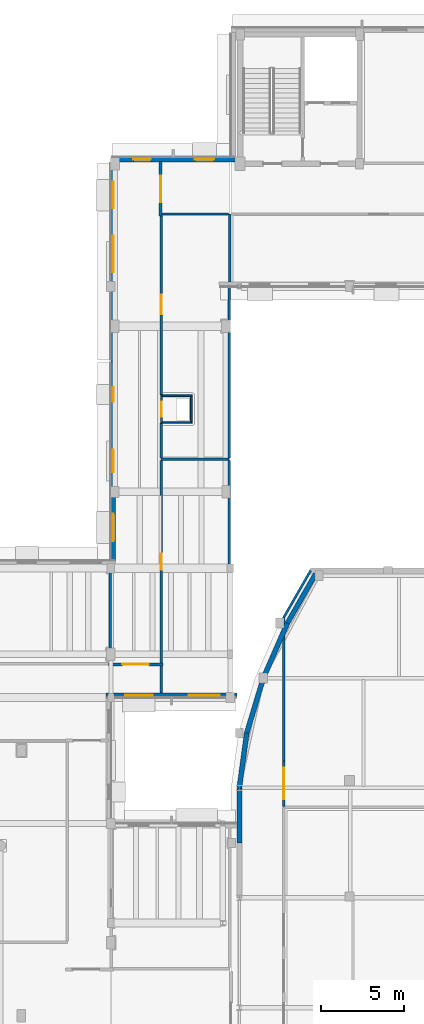
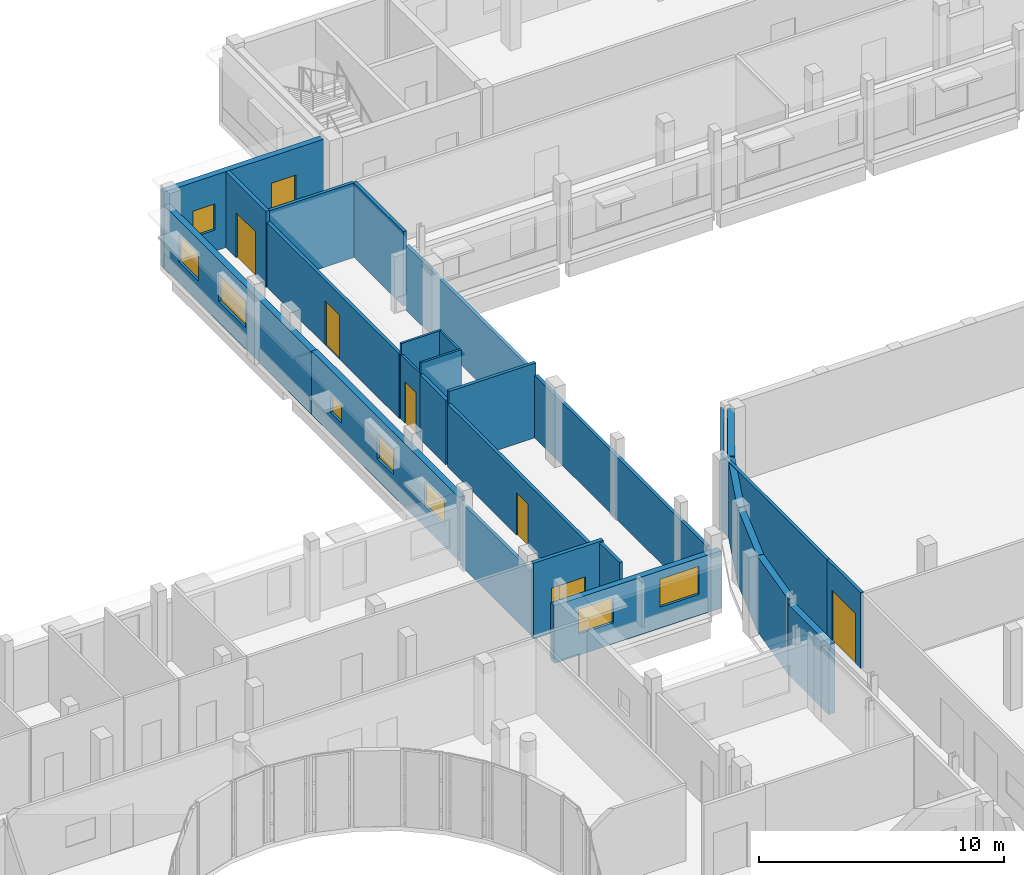
# One storey, part 85 of 105: 28 walls, 9 windows, 6 doors, 15 openings.
"""IFC4 building model written with IfcOpenShell, lengths in metres."""

import ifcopenshell
import ifcopenshell.guid

model = None  # the IFC model being written
_history = None  # IfcOwnerHistory: only IFC2X3 demands one
_inside = {}  # id of a spatial element -> (the spatial element, [elements in it])
_under = {}  # id of a project, library or spatial element -> (it, [spatial elements below it])
_declared = {}  # id of a project -> (the project, [libraries it declares])
_typed = {}  # id of a type object -> (the type object, [elements of that type])
_made_of = {}  # id of a material, layer set ... -> (it, [elements and type objects made of it])


def new_model(schema):
    """Start an empty IFC model of exactly this schema.

    Asked for "IFC4X3", IfcOpenShell would pick the latest addendum, in which some entities
    have other attributes; the version numbers below select the first issue.
    IFC2X3 requires an IfcOwnerHistory on every rooted entity: one is made here for all.
    """
    global model, _history
    if schema == "IFC4X3":
        model = ifcopenshell.file(schema_version=(4, 3, 0, 0))
    else:
        model = ifcopenshell.file(schema=schema)
    _inside.clear()
    _under.clear()
    _declared.clear()
    _typed.clear()
    _made_of.clear()
    _history = None
    if model.schema == "IFC2X3":
        org = make("IfcOrganization", Name="unknown")
        user = make(
            "IfcPersonAndOrganization",
            ThePerson=make("IfcPerson", FamilyName="unknown"),
            TheOrganization=org,
        )
        app = make(
            "IfcApplication",
            ApplicationDeveloper=org,
            Version="unknown",
            ApplicationFullName="unknown",
            ApplicationIdentifier="unknown",
        )
        _history = make(
            "IfcOwnerHistory",
            OwningUser=user,
            OwningApplication=app,
            ChangeAction="ADDED",
            CreationDate=0,
        )
    return model


def make(cls, **values):
    """One entity of the class cls with the attributes given. An attribute that is None is left unset."""
    return model.create_entity(
        cls, **{name: value for name, value in values.items() if value is not None}
    )


def rooted(cls, **values):
    """An entity with a GlobalId (a new one), such as an element, a storey or a relation."""
    return make(cls, GlobalId=ifcopenshell.guid.new(), OwnerHistory=_history, **values)


def si_unit(unit_type, name, prefix=None):
    """IfcSIUnit, for example si_unit("LENGTHUNIT", "METRE", prefix="MILLI")."""
    return make("IfcSIUnit", UnitType=unit_type, Prefix=prefix, Name=name)


def assignment(units):
    """IfcUnitAssignment: the units of a project."""
    return None if units is None else make("IfcUnitAssignment", Units=units)


def point(xyz):
    """IfcCartesianPoint."""
    return None if xyz is None else make("IfcCartesianPoint", Coordinates=xyz)


def direction(xyz):
    """IfcDirection."""
    return None if xyz is None else make("IfcDirection", DirectionRatios=xyz)


def frame(location, z_axis=None, x_axis=None):
    """IfcAxis2Placement3D, a coordinate frame: its origin and axes. An axis left out is left unset."""
    return make(
        "IfcAxis2Placement3D",
        Location=point(location),
        Axis=direction(z_axis),
        RefDirection=direction(x_axis),
    )


def frame_2d(location, x_axis=None):
    """IfcAxis2Placement2D, a coordinate frame in the plane: its origin and x axis."""
    return make(
        "IfcAxis2Placement2D", Location=point(location), RefDirection=direction(x_axis)
    )


def origin():
    """The frame at (0, 0, 0) with its axes left unset."""
    return frame((0.0, 0.0, 0.0))


def place(relative_to, where):
    """IfcLocalPlacement: puts the frame where relative to a parent placement (None: the world)."""
    return make(
        "IfcLocalPlacement", PlacementRelTo=relative_to, RelativePlacement=where
    )


def context(
    kind, dimensions, precision=None, world=None, true_north=None, identifier=None
):
    """IfcGeometricRepresentationContext, for example the 3D "Model" context."""
    return make(
        "IfcGeometricRepresentationContext",
        ContextIdentifier=identifier,
        ContextType=kind,
        CoordinateSpaceDimension=dimensions,
        Precision=precision,
        WorldCoordinateSystem=world,
        TrueNorth=true_north,
    )


def subcontext(parent, identifier, kind, view, scale=None):
    """IfcGeometricRepresentationSubContext, for example "Body" below "Model"."""
    return make(
        "IfcGeometricRepresentationSubContext",
        ContextIdentifier=identifier,
        ContextType=kind,
        ParentContext=parent,
        TargetScale=scale,
        TargetView=view,
    )


def project(units=None, contexts=None):
    """IfcProject with its units and contexts."""
    return rooted(
        "IfcProject",
        Name="project",
        RepresentationContexts=contexts,
        UnitsInContext=assignment(units),
    )


def spatial(cls, under=None, at=None, **own):
    """A site, building, storey or space (cls), placed at a placement, below another one or the project."""
    s = rooted(cls, ObjectPlacement=at, **own)
    if under is not None:
        _under.setdefault(under.id(), (under, []))[1].append(s)
    return s


def profile(cls, at=None, kind="AREA", **sizes):
    """A parametric profile (cls). Its sizes go by their IFC names, for example OverallWidth=200.0."""
    return make(cls, ProfileType=kind, Position=at, **sizes)


def rectangle(**sizes):
    """IfcRectangleProfileDef."""
    return profile("IfcRectangleProfileDef", **sizes)


def extrude(swept, where, along, depth):
    """IfcExtrudedAreaSolid: the profile swept, set in the frame where, extruded along a direction by depth."""
    return make(
        "IfcExtrudedAreaSolid",
        SweptArea=swept,
        Position=where,
        ExtrudedDirection=direction(along),
        Depth=depth,
    )


def shape(context_of_items, identifier, shape_type, items):
    """IfcShapeRepresentation: the items that make up one representation, for example the "Body"."""
    return make(
        "IfcShapeRepresentation",
        ContextOfItems=context_of_items,
        RepresentationIdentifier=identifier,
        RepresentationType=shape_type,
        Items=items,
    )


def material(Name=None, Category=None):
    """IfcMaterial."""
    return make("IfcMaterial", Name=Name, Category=Category)


def layer(
    of_material, thickness, ventilated=None, Name=None, Category=None, Priority=None
):
    """IfcMaterialLayer: one layer of a wall or slab, of a material (None: an air gap)."""
    return make(
        "IfcMaterialLayer",
        Material=of_material,
        LayerThickness=thickness,
        IsVentilated=ventilated,
        Name=Name,
        Category=Category,
        Priority=Priority,
    )


def layer_set(layers, Name=None):
    """IfcMaterialLayerSet."""
    return make("IfcMaterialLayerSet", MaterialLayers=layers, LayerSetName=Name)


def made_of(thing, what):
    """Note that an element or type object is made of a material, layer set ...; save() writes the relation."""
    if what is not None:
        _made_of.setdefault(what.id(), (what, []))[1].append(thing)
    return thing


def type_object(cls, material=None, **own):
    """A type object (cls), such as IfcWallType, which elements share."""
    return made_of(rooted(cls, **own), material)


def element(
    cls,
    number,
    at=None,
    inside=None,
    cuts=None,
    type_object=None,
    material=None,
    context=None,
    identifier="Body",
    shape_type=None,
    held_by="IfcProductDefinitionShape",
    body=None,
    shapes=None,
    **own,
):
    """One element of the class cls, such as IfcWall. Its Tag is "e" and its number.

    at: its placement. inside: the storey or other place that contains it. cuts: it is an
    opening in that element (IfcRelVoidsElement). A single representation is given by context,
    identifier, shape_type and body (its items); several are given by shapes. held_by: the class
    of the entity that holds the representations. save() writes the other relations.
    """
    e = rooted(cls, Tag="e%d" % number, ObjectPlacement=at, **own)
    if body is not None:
        shapes = [shape(context, identifier, shape_type, body)]
    if shapes is not None:
        e.Representation = make(held_by, Representations=shapes)
    if inside is not None:
        _inside.setdefault(inside.id(), (inside, []))[1].append(e)
    if cuts is not None:
        rooted(
            "IfcRelVoidsElement", RelatingBuildingElement=cuts, RelatedOpeningElement=e
        )
    if type_object is not None:
        _typed.setdefault(type_object.id(), (type_object, []))[1].append(e)
    return made_of(e, material)


def fill(opening, filler):
    """IfcRelFillsElement: the door or window that sits in an opening."""
    return rooted(
        "IfcRelFillsElement",
        RelatingOpeningElement=opening,
        RelatedBuildingElement=filler,
    )


def aggregate(whole, parts):
    """IfcRelAggregates: a whole, such as a stair, and the parts it consists of."""
    return rooted("IfcRelAggregates", RelatingObject=whole, RelatedObjects=parts)


def save(model, path):
    """Write the relations noted so far, then the file.

    IfcRelAggregates (storeys below a building ...), IfcRelContainedInSpatialStructure (elements
    in a storey), IfcRelDefinesByType, IfcRelAssociatesMaterial and IfcRelDeclares: one each for
    every whole, place, type object, material and project.
    """
    for whole, parts in _under.values():
        aggregate(whole, parts)
    for where, things in _inside.values():
        rooted(
            "IfcRelContainedInSpatialStructure",
            RelatedElements=things,
            RelatingStructure=where,
        )
    for kind, things in _typed.values():
        rooted("IfcRelDefinesByType", RelatedObjects=things, RelatingType=kind)
    for what, things in _made_of.values():
        rooted("IfcRelAssociatesMaterial", RelatedObjects=things, RelatingMaterial=what)
    for by, libraries in _declared.values():
        rooted("IfcRelDeclares", RelatingContext=by, RelatedDefinitions=libraries)
    model.write(path)


model = new_model("IFC4")

# Units and contexts
model_context = context("Model", 3, precision=1e-05, world=origin(), true_north=direction((0.0, 1.0)))
body_context = subcontext(model_context, "Body", "Model", "MODEL_VIEW")
ifc_project = project(units=[si_unit("LENGTHUNIT", "METRE"), si_unit("AREAUNIT", "SQUARE_METRE"), si_unit("VOLUMEUNIT", "CUBIC_METRE"), si_unit("PLANEANGLEUNIT", "RADIAN"), si_unit("MASSUNIT", "GRAM", prefix="KILO")], contexts=[model_context])

# Site, building, storey
site_placement = place(None, origin())
site = spatial("IfcSite", under=ifc_project, at=site_placement, CompositionType="ELEMENT")
building_placement = place(site_placement, origin())
building = spatial("IfcBuilding", under=site, at=building_placement, Name="Kelanivale Promenade Academy", CompositionType="ELEMENT")
storey_placement = place(building_placement, frame((0.0, 0.0, 4.199951171875)))
storey = spatial("IfcBuildingStorey", under=building, at=storey_placement, Name="L01", CompositionType="ELEMENT", Elevation=4.199951171875)

# Walls
ifc_material_1 = material(Name="Insulated terracotta-clad masonry wall 300 mm", Category="masonry")
ifc_layer_1 = layer(ifc_material_1, 0.300048828125)
ifc_layer_set_1 = layer_set([ifc_layer_1], Name="Insulated terracotta-clad masonry wall 300 mm")
wall_type_1 = type_object("IfcWallType", Name="EW-01 Wall 300mm", PredefinedType="SOLIDWALL", material=ifc_layer_set_1)
wall_1_placement = place(storey_placement, frame((123.35009765625, 66.14306640625, 0.0), z_axis=(0.0, 0.0, 1.0), x_axis=(0.0, -1.0, 0.0)))
element("IfcWall", 1, at=wall_1_placement, inside=storey, type_object=wall_type_1, Name="Assembly Hall Arc Pavilion inner crescent wall L01", PredefinedType="SOLIDWALL", context=body_context, shape_type="SweptSolid", body=[
    extrude(rectangle(XDim=3.31396484375, YDim=0.300048828125, at=frame_2d((1.656982421875, 0.0))), origin(), (0.0, 0.0, 1.0), 3.47998046875),
])
wall_2_placement = place(storey_placement, frame((123.800048828125, 69.45703125, 0.0), z_axis=(0.0, 0.0, 1.0), x_axis=(-0.134539839792, -0.990908185206, 0.0)))
element("IfcWall", 2, at=wall_2_placement, inside=storey, type_object=wall_type_1, Name="Assembly Hall Arc Pavilion inner crescent wall L01", PredefinedType="SOLIDWALL", context=body_context, shape_type="SweptSolid", body=[
    extrude(rectangle(XDim=3.344482421875, YDim=0.300048828125, at=frame_2d((1.67236328125, 0.0))), origin(), (0.0, 0.0, 1.0), 3.735107421875),
])
wall_3_placement = place(storey_placement, frame((124.800048828125, 72.77099609375, 0.0), z_axis=(0.0, 0.0, 1.0), x_axis=(-0.288887509039, -0.957363048755, 0.0)))
element("IfcWall", 3, at=wall_3_placement, inside=storey, type_object=wall_type_1, Name="Assembly Hall Arc Pavilion inner crescent wall L01", PredefinedType="SOLIDWALL", context=body_context, shape_type="SweptSolid", body=[
    extrude(rectangle(XDim=3.461669921875, YDim=0.300048828125, at=frame_2d((1.73095703125, 0.0))), origin(), (0.0, 0.0, 1.0), 3.7451171875),
])
wall_4_placement = place(storey_placement, frame((126.25, 76.0859375, 0.0), z_axis=(0.0, 0.0, 1.0), x_axis=(-0.400740958437, -0.916191401526, 0.0)))
element("IfcWall", 4, at=wall_4_placement, inside=storey, type_object=wall_type_1, Name="Assembly Hall Arc Pavilion inner crescent wall L01", PredefinedType="SOLIDWALL", context=body_context, shape_type="SweptSolid", body=[
    extrude(rectangle(XDim=3.6181640625, YDim=0.300048828125, at=frame_2d((1.80908203125, 0.0))), origin(), (0.0, 0.0, 1.0), 3.7451171875),
])
wall_5_placement = place(storey_placement, frame((127.950927734375, 79.052978515625, 0.0), z_axis=(0.0, 0.0, 1.0), x_axis=(-0.497345429475, -0.867552605771, 0.0)))
element("IfcWall", 5, at=wall_5_placement, inside=storey, type_object=wall_type_1, Name="Assembly Hall Arc Pavilion inner crescent wall L01", PredefinedType="SOLIDWALL", context=body_context, shape_type="SweptSolid", body=[
    extrude(rectangle(XDim=3.419921875, YDim=0.300048828125, at=frame_2d((1.7099609375, 0.0))), origin(), (0.0, 0.0, 1.0), 3.780029296875),
])

# Wall, openings, windows
ifc_material_2 = material(Name="Insulated ivory stucco masonry wall 280 mm", Category="masonry")
ifc_layer_2 = layer(ifc_material_2, 0.280029296875)
ifc_layer_set_2 = layer_set([ifc_layer_2], Name="Insulated ivory stucco masonry wall 280 mm")
wall_type_2 = type_object("IfcWallType", Name="EW-02 Wall 280mm", PredefinedType="SOLIDWALL", material=ifc_layer_set_2)
wall_6_placement = place(storey_placement, frame((115.320068359375, 71.739990234375, 0.0), z_axis=(0.0, 0.0, 1.0), x_axis=(1.0, 0.0, 0.0)))
wall_6 = element("IfcWall", 6, at=wall_6_placement, inside=storey, type_object=wall_type_2, Name="L01 exterior facade wall EW-L01-ORT-0368", PredefinedType="SOLIDWALL", context=body_context, shape_type="SweptSolid", body=[
    extrude(rectangle(XDim=7.8798828125, YDim=0.280029296875, at=frame_2d((3.93994140625, 0.0))), origin(), (0.0, 0.0, 1.0), 2.864990234375),
])
opening_1_placement = place(wall_6_placement, frame((1.14501953125, 0.0, 1.050048828125)))
opening_1 = element("IfcOpeningElement", 7, at=opening_1_placement, cuts=wall_6, Name="Opening WT-35", PredefinedType="OPENING", context=body_context, shape_type="SweptSolid", body=[
    extrude(rectangle(XDim=1.64990234375, YDim=1.25, at=frame_2d((0.824951171875, 0.625))), frame((0.0, 0.14990234375, 0.0), z_axis=(0.0, -1.0, 0.0), x_axis=(1.0, 0.0, 0.0)), (0.0, 0.0, 1.0), 0.300048828125),
])
opening_2_placement = place(wall_6_placement, frame((4.985107421875, 0.0, 1.050048828125)))
opening_2 = element("IfcOpeningElement", 8, at=opening_2_placement, cuts=wall_6, Name="Opening WT-36", PredefinedType="OPENING", context=body_context, shape_type="SweptSolid", body=[
    extrude(rectangle(XDim=1.85009765625, YDim=1.39990234375, at=frame_2d((0.925048828125, 0.699951171875))), frame((0.0, 0.14990234375, 0.0), z_axis=(0.0, -1.0, 0.0), x_axis=(1.0, 0.0, 0.0)), (0.0, 0.0, 1.0), 0.300048828125),
])
ifc_material_3 = material(Name="Bronze anodised aluminium frame with low-E laminated glass", Category="aluminium")
window_type_1 = type_object("IfcWindowType", Name="WT-35 Window 1650x1250", PartitioningType="SINGLE_PANEL", PredefinedType="WINDOW", material=ifc_material_3)
window_1_placement = place(opening_1_placement, origin())
window_1 = element("IfcWindow", 9, at=window_1_placement, inside=storey, type_object=window_type_1, Name="Window WT-35", OverallHeight=1.25, OverallWidth=1.64990234375, PartitioningType="SINGLE_PANEL", PredefinedType="WINDOW", context=body_context, shape_type="SweptSolid", body=[
    extrude(rectangle(XDim=1.64990234375, YDim=1.25, at=frame_2d((0.824951171875, 0.625))), frame((0.0, 0.030029296875, 0.0), z_axis=(0.0, -1.0, 0.0), x_axis=(1.0, 0.0, 0.0)), (0.0, 0.0, 1.0), 0.06005859375),
])
fill(opening_1, window_1)
window_type_2 = type_object("IfcWindowType", Name="WT-36 Window 1850x1400", PartitioningType="SINGLE_PANEL", PredefinedType="WINDOW", material=ifc_material_3)
window_2_placement = place(opening_2_placement, origin())
window_2 = element("IfcWindow", 10, at=window_2_placement, inside=storey, type_object=window_type_2, Name="Window WT-36", OverallHeight=1.39990234375, OverallWidth=1.85009765625, PartitioningType="SINGLE_PANEL", PredefinedType="WINDOW", context=body_context, shape_type="SweptSolid", body=[
    extrude(rectangle(XDim=1.85009765625, YDim=1.39990234375, at=frame_2d((0.925048828125, 0.699951171875))), frame((0.0, 0.030029296875, 0.0), z_axis=(0.0, -1.0, 0.0), x_axis=(1.0, 0.0, 0.0)), (0.0, 0.0, 1.0), 0.06005859375),
])
fill(opening_2, window_2)

wall_7_placement = place(storey_placement, frame((123.1298828125, 104.06005859375, 0.0), z_axis=(0.0, 0.0, 1.0), x_axis=(-1.0, 0.0, 0.0)))
wall_7 = element("IfcWall", 11, at=wall_7_placement, inside=storey, type_object=wall_type_2, Name="L01 exterior facade wall EW-L01-ORT-0377", PredefinedType="SOLIDWALL", context=body_context, shape_type="SweptSolid", body=[
    extrude(rectangle(XDim=7.52978515625, YDim=0.280029296875, at=frame_2d((3.764892578125, 0.0))), origin(), (0.0, 0.0, 1.0), 3.780029296875),
])
opening_3_placement = place(wall_7_placement, frame((1.30810546875, 0.0, 1.050048828125)))
opening_3 = element("IfcOpeningElement", 12, at=opening_3_placement, cuts=wall_7, Name="Opening WT-29", PredefinedType="OPENING", context=body_context, shape_type="SweptSolid", body=[
    extrude(rectangle(XDim=1.14990234375, YDim=1.39990234375, at=frame_2d((0.574951171875, 0.699951171875))), frame((0.0, 0.14990234375, 0.0), z_axis=(0.0, -1.0, 0.0), x_axis=(1.0, 0.0, 0.0)), (0.0, 0.0, 1.0), 0.300048828125),
])
opening_4_placement = place(wall_7_placement, frame((5.123046875, 0.0, 1.050048828125)))
opening_4 = element("IfcOpeningElement", 13, at=opening_4_placement, cuts=wall_7, Name="Opening WT-30", PredefinedType="OPENING", context=body_context, shape_type="SweptSolid", body=[
    extrude(rectangle(XDim=1.050048828125, YDim=1.300048828125, at=frame_2d((0.52490234375, 0.64990234375))), frame((0.0, 0.14990234375, 0.0), z_axis=(0.0, -1.0, 0.0), x_axis=(1.0, 0.0, 0.0)), (0.0, 0.0, 1.0), 0.300048828125),
])
window_type_3 = type_object("IfcWindowType", Name="WT-29 Window 1150x1400", PartitioningType="SINGLE_PANEL", PredefinedType="WINDOW", material=ifc_material_3)
window_3_placement = place(opening_3_placement, origin())
window_3 = element("IfcWindow", 14, at=window_3_placement, inside=storey, type_object=window_type_3, Name="Window WT-29", OverallHeight=1.39990234375, OverallWidth=1.14990234375, PartitioningType="SINGLE_PANEL", PredefinedType="WINDOW", context=body_context, shape_type="SweptSolid", body=[
    extrude(rectangle(XDim=1.14990234375, YDim=1.39990234375, at=frame_2d((0.574951171875, 0.699951171875))), frame((0.0, 0.030029296875, 0.0), z_axis=(0.0, -1.0, 0.0), x_axis=(1.0, 0.0, 0.0)), (0.0, 0.0, 1.0), 0.06005859375),
])
fill(opening_3, window_3)
window_type_4 = type_object("IfcWindowType", Name="WT-30 Window 1050x1300", PartitioningType="SINGLE_PANEL", PredefinedType="WINDOW", material=ifc_material_3)
window_4_placement = place(opening_4_placement, origin())
window_4 = element("IfcWindow", 15, at=window_4_placement, inside=storey, type_object=window_type_4, Name="Window WT-30", OverallHeight=1.300048828125, OverallWidth=1.050048828125, PartitioningType="SINGLE_PANEL", PredefinedType="WINDOW", context=body_context, shape_type="SweptSolid", body=[
    extrude(rectangle(XDim=1.050048828125, YDim=1.300048828125, at=frame_2d((0.52490234375, 0.64990234375))), frame((0.0, 0.030029296875, 0.0), z_axis=(0.0, -1.0, 0.0), x_axis=(1.0, 0.0, 0.0)), (0.0, 0.0, 1.0), 0.06005859375),
])
fill(opening_4, window_4)

wall_8_placement = place(storey_placement, frame((115.739990234375, 103.919921875, 0.0), z_axis=(0.0, 0.0, 1.0), x_axis=(0.0, -1.0, 0.0)))
wall_8 = element("IfcWall", 16, at=wall_8_placement, inside=storey, type_object=wall_type_2, Name="L01 exterior facade wall EW-L01-ORT-0378", PredefinedType="SOLIDWALL", context=body_context, shape_type="SweptSolid", body=[
    extrude(rectangle(XDim=12.034912109375, YDim=0.280029296875, at=frame_2d((6.017578125, 0.0))), origin(), (0.0, 0.0, 1.0), 3.114990234375),
])
opening_5_placement = place(wall_8_placement, frame((1.2060546875, 0.0, 1.050048828125)))
opening_5 = element("IfcOpeningElement", 17, at=opening_5_placement, cuts=wall_8, Name="Opening WT-07", PredefinedType="OPENING", context=body_context, shape_type="SweptSolid", body=[
    extrude(rectangle(XDim=1.60009765625, YDim=1.35009765625, at=frame_2d((0.800048828125, 0.675048828125))), frame((0.0, 0.14990234375, 0.0), z_axis=(0.0, -1.0, 0.0), x_axis=(1.0, 0.0, 0.0)), (0.0, 0.0, 1.0), 0.300048828125),
])
opening_6_placement = place(wall_8_placement, frame((4.467041015625, 0.0, 1.050048828125)))
opening_6 = element("IfcOpeningElement", 18, at=opening_6_placement, cuts=wall_8, Name="Opening WT-08", PredefinedType="OPENING", context=body_context, shape_type="SweptSolid", body=[
    extrude(rectangle(XDim=2.199951171875, YDim=1.35009765625, at=frame_2d((1.10009765625, 0.675048828125))), frame((0.0, 0.14990234375, 0.0), z_axis=(0.0, -1.0, 0.0), x_axis=(1.0, 0.0, 0.0)), (0.0, 0.0, 1.0), 0.300048828125),
])
window_type_5 = type_object("IfcWindowType", Name="WT-07 Window 1600x1350", PartitioningType="SINGLE_PANEL", PredefinedType="WINDOW", material=ifc_material_3)
window_5_placement = place(opening_5_placement, origin())
window_5 = element("IfcWindow", 19, at=window_5_placement, inside=storey, type_object=window_type_5, Name="Window WT-07", OverallHeight=1.35009765625, OverallWidth=1.60009765625, PartitioningType="SINGLE_PANEL", PredefinedType="WINDOW", context=body_context, shape_type="SweptSolid", body=[
    extrude(rectangle(XDim=1.60009765625, YDim=1.35009765625, at=frame_2d((0.800048828125, 0.675048828125))), frame((0.0, 0.030029296875, 0.0), z_axis=(0.0, -1.0, 0.0), x_axis=(1.0, 0.0, 0.0)), (0.0, 0.0, 1.0), 0.06005859375),
])
fill(opening_5, window_5)
window_type_6 = type_object("IfcWindowType", Name="WT-08 Window 2200x1350", PartitioningType="SINGLE_PANEL", PredefinedType="WINDOW", material=ifc_material_3)
window_6_placement = place(opening_6_placement, origin())
window_6 = element("IfcWindow", 20, at=window_6_placement, inside=storey, type_object=window_type_6, Name="Window WT-08", OverallHeight=1.35009765625, OverallWidth=2.199951171875, PartitioningType="SINGLE_PANEL", PredefinedType="WINDOW", context=body_context, shape_type="SweptSolid", body=[
    extrude(rectangle(XDim=2.199951171875, YDim=1.35009765625, at=frame_2d((1.10009765625, 0.675048828125))), frame((0.0, 0.030029296875, 0.0), z_axis=(0.0, -1.0, 0.0), x_axis=(1.0, 0.0, 0.0)), (0.0, 0.0, 1.0), 0.06005859375),
])
fill(opening_6, window_6)

wall_9_placement = place(storey_placement, frame((115.739990234375, 91.885009765625, 0.0), z_axis=(0.0, 0.0, 1.0), x_axis=(0.0, -1.0, 0.0)))
wall_9 = element("IfcWall", 21, at=wall_9_placement, inside=storey, type_object=wall_type_2, Name="L01 exterior facade wall EW-L01-ORT-0379", PredefinedType="SOLIDWALL", context=body_context, shape_type="SweptSolid", body=[
    extrude(rectangle(XDim=12.034912109375, YDim=0.280029296875, at=frame_2d((6.017578125, 0.0))), origin(), (0.0, 0.0, 1.0), 3.1650390625),
])
opening_7_placement = place(wall_9_placement, frame((1.555908203125, 0.0, 1.050048828125)))
opening_7 = element("IfcOpeningElement", 22, at=opening_7_placement, cuts=wall_9, Name="Opening WT-10", PredefinedType="OPENING", context=body_context, shape_type="SweptSolid", body=[
    extrude(rectangle(XDim=0.89990234375, YDim=0.89990234375, at=frame_2d((0.449951171875, 0.449951171875))), frame((0.0, 0.14990234375, 0.0), z_axis=(0.0, -1.0, 0.0), x_axis=(1.0, 0.0, 0.0)), (0.0, 0.0, 1.0), 0.300048828125),
])
opening_8_placement = place(wall_9_placement, frame((5.343017578125, 0.0, 1.050048828125)))
opening_8 = element("IfcOpeningElement", 23, at=opening_8_placement, cuts=wall_9, Name="Opening WT-34", PredefinedType="OPENING", context=body_context, shape_type="SweptSolid", body=[
    extrude(rectangle(XDim=1.35009765625, YDim=1.199951171875, at=frame_2d((0.675048828125, 0.60009765625))), frame((0.0, 0.14990234375, 0.0), z_axis=(0.0, -1.0, 0.0), x_axis=(1.0, 0.0, 0.0)), (0.0, 0.0, 1.0), 0.300048828125),
])
opening_9_placement = place(wall_9_placement, frame((9.2041015625, 0.0, 1.050048828125)))
opening_9 = element("IfcOpeningElement", 24, at=opening_9_placement, cuts=wall_9, Name="Opening WT-35", PredefinedType="OPENING", context=body_context, shape_type="SweptSolid", body=[
    extrude(rectangle(XDim=1.64990234375, YDim=1.25, at=frame_2d((0.824951171875, 0.625))), frame((0.0, 0.14990234375, 0.0), z_axis=(0.0, -1.0, 0.0), x_axis=(1.0, 0.0, 0.0)), (0.0, 0.0, 1.0), 0.300048828125),
])
window_type_7 = type_object("IfcWindowType", Name="WT-10 Window 900x900", PartitioningType="SINGLE_PANEL", PredefinedType="WINDOW", material=ifc_material_3)
window_7_placement = place(opening_7_placement, origin())
window_7 = element("IfcWindow", 25, at=window_7_placement, inside=storey, type_object=window_type_7, Name="Window WT-10", OverallHeight=0.89990234375, OverallWidth=0.89990234375, PartitioningType="SINGLE_PANEL", PredefinedType="WINDOW", context=body_context, shape_type="SweptSolid", body=[
    extrude(rectangle(XDim=0.89990234375, YDim=0.89990234375, at=frame_2d((0.449951171875, 0.449951171875))), frame((0.0, 0.030029296875, 0.0), z_axis=(0.0, -1.0, 0.0), x_axis=(1.0, 0.0, 0.0)), (0.0, 0.0, 1.0), 0.06005859375),
])
fill(opening_7, window_7)
window_type_8 = type_object("IfcWindowType", Name="WT-34 Window 1350x1200", PartitioningType="SINGLE_PANEL", PredefinedType="WINDOW", material=ifc_material_3)
window_8_placement = place(opening_8_placement, origin())
window_8 = element("IfcWindow", 26, at=window_8_placement, inside=storey, type_object=window_type_8, Name="Window WT-34", OverallHeight=1.199951171875, OverallWidth=1.35009765625, PartitioningType="SINGLE_PANEL", PredefinedType="WINDOW", context=body_context, shape_type="SweptSolid", body=[
    extrude(rectangle(XDim=1.35009765625, YDim=1.199951171875, at=frame_2d((0.675048828125, 0.60009765625))), frame((0.0, 0.030029296875, 0.0), z_axis=(0.0, -1.0, 0.0), x_axis=(1.0, 0.0, 0.0)), (0.0, 0.0, 1.0), 0.06005859375),
])
fill(opening_8, window_8)
window_9_placement = place(opening_9_placement, origin())
window_9 = element("IfcWindow", 27, at=window_9_placement, inside=storey, type_object=window_type_1, Name="Window WT-35", OverallHeight=1.25, OverallWidth=1.64990234375, PartitioningType="SINGLE_PANEL", PredefinedType="WINDOW", context=body_context, shape_type="SweptSolid", body=[
    extrude(rectangle(XDim=1.64990234375, YDim=1.25, at=frame_2d((0.824951171875, 0.625))), frame((0.0, 0.030029296875, 0.0), z_axis=(0.0, -1.0, 0.0), x_axis=(1.0, 0.0, 0.0)), (0.0, 0.0, 1.0), 0.06005859375),
])
fill(opening_9, window_9)

# Wall, opening, door
ifc_material_4 = material(Name="Autoclaved masonry blockwork 180 mm", Category="masonry")
ifc_layer_3 = layer(ifc_material_4, 0.179931640625)
ifc_layer_set_3 = layer_set([ifc_layer_3], Name="Autoclaved masonry blockwork 180 mm")
wall_type_3 = type_object("IfcWallType", Name="IW-02 Wall 180mm", PredefinedType="PARTITIONING", material=ifc_layer_set_3)
wall_10_placement = place(storey_placement, frame((115.449951171875, 73.60009765625, 0.0), z_axis=(0.0, 0.0, 1.0), x_axis=(1.0, 0.0, 0.0)))
wall_10 = element("IfcWall", 28, at=wall_10_placement, inside=storey, type_object=wall_type_3, Name="L01 cross-corridor fire wall", PredefinedType="PARTITIONING", context=body_context, shape_type="SweptSolid", body=[
    extrude(rectangle(XDim=3.297119140625, YDim=0.179931640625, at=frame_2d((1.6484375, 0.0))), origin(), (0.0, 0.0, 1.0), 3.780029296875),
])
opening_10_placement = place(wall_10_placement, frame((0.847900390625, 0.0, 0.0)))
opening_10 = element("IfcOpeningElement", 29, at=opening_10_placement, cuts=wall_10, Name="Opening FD-L01-CC-065", PredefinedType="OPENING", context=body_context, shape_type="SweptSolid", body=[
    extrude(rectangle(XDim=1.60009765625, YDim=2.25, at=frame_2d((0.800048828125, 1.125))), frame((0.0, 0.10009765625, 0.0), z_axis=(0.0, -1.0, 0.0), x_axis=(1.0, 0.0, 0.0)), (0.0, 0.0, 1.0), 0.199951171875),
])
ifc_material_5 = material(Name="Fire-rated steel-core teak veneer", Category="steel")
door_type_1 = type_object("IfcDoorType", Name="DT-F09 Door 1600x2250", OperationType="NOTDEFINED", PredefinedType="DOOR", material=ifc_material_5)
door_1_placement = place(opening_10_placement, origin())
door_1 = element("IfcDoor", 30, at=door_1_placement, inside=storey, type_object=door_type_1, Name="L01 cross-corridor fire door FD-L01-CC-065", OperationType="DOUBLE_DOOR_SINGLE_SWING", OverallHeight=2.25, OverallWidth=1.60009765625, PredefinedType="DOOR", context=body_context, shape_type="SweptSolid", body=[
    extrude(rectangle(XDim=1.60009765625, YDim=2.25, at=frame_2d((0.800048828125, 1.125))), frame((0.0, 0.02490234375, 0.0), z_axis=(0.0, -1.0, 0.0), x_axis=(1.0, 0.0, 0.0)), (0.0, 0.0, 1.0), 0.050048828125),
])
fill(opening_10, door_1)

wall_11_placement = place(storey_placement, frame((118.60009765625, 100.64990234375, 0.0), z_axis=(0.0, 0.0, 1.0), x_axis=(0.0, 1.0, 0.0)))
wall_11 = element("IfcWall", 31, at=wall_11_placement, inside=storey, type_object=wall_type_3, Name="L01 cross-corridor fire wall", PredefinedType="PARTITIONING", context=body_context, shape_type="SweptSolid", body=[
    extrude(rectangle(XDim=3.272216796875, YDim=0.179931640625, at=frame_2d((1.63623046875, 0.0))), origin(), (0.0, 0.0, 1.0), 3.780029296875),
])
opening_11_placement = place(wall_11_placement, frame((0.8359375, 0.0, 0.0)))
opening_11 = element("IfcOpeningElement", 32, at=opening_11_placement, cuts=wall_11, Name="Opening FD-L01-CC-066", PredefinedType="OPENING", context=body_context, shape_type="SweptSolid", body=[
    extrude(rectangle(XDim=1.60009765625, YDim=2.25, at=frame_2d((0.800048828125, 1.125))), frame((0.0, 0.10009765625, 0.0), z_axis=(0.0, -1.0, 0.0), x_axis=(1.0, 0.0, 0.0)), (0.0, 0.0, 1.0), 0.199951171875),
])
door_2_placement = place(opening_11_placement, origin())
door_2 = element("IfcDoor", 33, at=door_2_placement, inside=storey, type_object=door_type_1, Name="L01 cross-corridor fire door FD-L01-CC-066", OperationType="DOUBLE_DOOR_SINGLE_SWING", OverallHeight=2.25, OverallWidth=1.60009765625, PredefinedType="DOOR", context=body_context, shape_type="SweptSolid", body=[
    extrude(rectangle(XDim=1.60009765625, YDim=2.25, at=frame_2d((0.800048828125, 1.125))), frame((0.0, 0.02490234375, 0.0), z_axis=(0.0, -1.0, 0.0), x_axis=(1.0, 0.0, 0.0)), (0.0, 0.0, 1.0), 0.050048828125),
])
fill(opening_11, door_2)

# Wall
ifc_material_6 = material(Name="Acoustic gypsum-lined masonry partition 150 mm", Category="masonry")
ifc_layer_4 = layer(ifc_material_6, 0.14990234375)
ifc_layer_set_4 = layer_set([ifc_layer_4], Name="Acoustic gypsum-lined masonry partition 150 mm")
wall_type_4 = type_object("IfcWallType", Name="IW-03 Wall 150mm", PredefinedType="PARTITIONING", material=ifc_layer_set_4)
wall_12_placement = place(storey_placement, frame((122.72998046875, 85.969970703125, 0.0), z_axis=(0.0, 0.0, 1.0), x_axis=(-1.0, 0.0, 0.0)))
element("IfcWall", 34, at=wall_12_placement, inside=storey, type_object=wall_type_4, Name="L01 partition Chemical Prep Room", PredefinedType="PARTITIONING", context=body_context, shape_type="SweptSolid", body=[
    extrude(rectangle(XDim=4.10009765625, YDim=0.14990234375, at=frame_2d((2.050048828125, 0.0))), origin(), (0.0, 0.0, 1.0), 3.715087890625),
])

# Wall, opening, door
wall_13_placement = place(storey_placement, frame((118.6298828125, 85.89697265625, 0.0), z_axis=(0.0, 0.0, 1.0), x_axis=(0.0, -1.0, 0.0)))
wall_13 = element("IfcWall", 35, at=wall_13_placement, inside=storey, type_object=wall_type_4, Name="L01 partition Chemical Prep Room", PredefinedType="PARTITIONING", context=body_context, shape_type="SweptSolid", body=[
    extrude(rectangle(XDim=12.208984375, YDim=0.14990234375, at=frame_2d((6.1044921875, 0.0))), origin(), (0.0, 0.0, 1.0), 3.114990234375),
])
opening_12_placement = place(wall_13_placement, frame((5.6298828125, 0.0, 0.0)))
opening_12 = element("IfcOpeningElement", 36, at=opening_12_placement, cuts=wall_13, Name="Opening ID-L01-098", PredefinedType="OPENING", context=body_context, shape_type="SweptSolid", body=[
    extrude(rectangle(XDim=0.949951171875, YDim=2.10009765625, at=frame_2d((0.47509765625, 1.050048828125))), frame((0.0, 0.0849609375, 0.0), z_axis=(0.0, -1.0, 0.0), x_axis=(1.0, 0.0, 0.0)), (0.0, 0.0, 1.0), 0.169921875),
])
door_type_2 = type_object("IfcDoorType", Name="DT-F07 Door 950x2100", OperationType="NOTDEFINED", PredefinedType="DOOR", material=ifc_material_5)
door_3_placement = place(opening_12_placement, origin())
door_3 = element("IfcDoor", 37, at=door_3_placement, inside=storey, type_object=door_type_2, Name="Chemical Prep Room door ID-L01-098", OperationType="SINGLE_SWING_RIGHT", OverallHeight=2.10009765625, OverallWidth=0.949951171875, PredefinedType="DOOR", context=body_context, shape_type="SweptSolid", body=[
    extrude(rectangle(XDim=0.949951171875, YDim=2.10009765625, at=frame_2d((0.47509765625, 1.050048828125))), frame((0.0, 0.02490234375, 0.0), z_axis=(0.0, -1.0, 0.0), x_axis=(1.0, 0.0, 0.0)), (0.0, 0.0, 1.0), 0.050048828125),
])
fill(opening_12, door_3)

# Walls
wall_14_placement = place(storey_placement, frame((118.6298828125, 73.511962890625, 0.0), z_axis=(0.0, 0.0, 1.0), x_axis=(0.0, -1.0, 0.0)))
element("IfcWall", 38, at=wall_14_placement, inside=storey, type_object=wall_type_4, Name="L01 partition Chemical Prep Room", PredefinedType="PARTITIONING", context=body_context, shape_type="SweptSolid", body=[
    extrude(rectangle(XDim=1.634033203125, YDim=0.14990234375, at=frame_2d((0.81689453125, 0.0))), origin(), (0.0, 0.0, 1.0), 3.715087890625),
])
wall_15_placement = place(storey_placement, frame((122.72998046875, 71.8779296875, 0.0), z_axis=(0.0, 0.0, 1.0), x_axis=(0.0, 1.0, 0.0)))
element("IfcWall", 39, at=wall_15_placement, inside=storey, type_object=wall_type_4, Name="L01 partition Chemical Prep Room", PredefinedType="PARTITIONING", context=body_context, shape_type="SweptSolid", body=[
    extrude(rectangle(XDim=14.01904296875, YDim=0.14990234375, at=frame_2d((7.009521484375, 0.0))), origin(), (0.0, 0.0, 1.0), 3.114990234375),
])
wall_16_placement = place(storey_placement, frame((122.77001953125, 96.677978515625, 0.0), z_axis=(0.0, 0.0, 1.0), x_axis=(0.0, 1.0, 0.0)))
element("IfcWall", 40, at=wall_16_placement, inside=storey, type_object=wall_type_4, Name="L01 partition Laboratory Instrument Studio", PredefinedType="PARTITIONING", context=body_context, shape_type="SweptSolid", body=[
    extrude(rectangle(XDim=4.092041015625, YDim=0.14990234375, at=frame_2d((2.0458984375, 0.0))), origin(), (0.0, 0.0, 1.0), 3.715087890625),
])
wall_17_placement = place(storey_placement, frame((122.697021484375, 100.77001953125, 0.0), z_axis=(0.0, 0.0, 1.0), x_axis=(-1.0, 0.0, 0.0)))
element("IfcWall", 41, at=wall_17_placement, inside=storey, type_object=wall_type_4, Name="L01 partition Laboratory Instrument Studio", PredefinedType="PARTITIONING", context=body_context, shape_type="SweptSolid", body=[
    extrude(rectangle(XDim=4.009033203125, YDim=0.14990234375, at=frame_2d((2.00439453125, 0.0))), origin(), (0.0, 0.0, 1.0), 3.715087890625),
])

# Wall, opening, door
wall_18_placement = place(storey_placement, frame((118.6298828125, 100.77001953125, 0.0), z_axis=(0.0, 0.0, 1.0), x_axis=(0.0, -1.0, 0.0)))
wall_18 = element("IfcWall", 42, at=wall_18_placement, inside=storey, type_object=wall_type_4, Name="L01 partition Laboratory Instrument Studio", PredefinedType="PARTITIONING", context=body_context, shape_type="SweptSolid", body=[
    extrude(rectangle(XDim=10.922119140625, YDim=0.14990234375, at=frame_2d((5.4609375, 0.0))), origin(), (0.0, 0.0, 1.0), 3.215087890625),
])
opening_13_placement = place(wall_18_placement, frame((4.885986328125, 0.0, 0.0)))
opening_13 = element("IfcOpeningElement", 43, at=opening_13_placement, cuts=wall_18, Name="Opening ID-L01-099", PredefinedType="OPENING", context=body_context, shape_type="SweptSolid", body=[
    extrude(rectangle(XDim=1.14990234375, YDim=2.199951171875, at=frame_2d((0.574951171875, 1.10009765625))), frame((0.0, 0.0849609375, 0.0), z_axis=(0.0, -1.0, 0.0), x_axis=(1.0, 0.0, 0.0)), (0.0, 0.0, 1.0), 0.169921875),
])
door_type_3 = type_object("IfcDoorType", Name="DT-F06 Door 1150x2200", OperationType="NOTDEFINED", PredefinedType="DOOR", material=ifc_material_5)
door_4_placement = place(opening_13_placement, origin())
door_4 = element("IfcDoor", 44, at=door_4_placement, inside=storey, type_object=door_type_3, Name="Laboratory Instrument Studio door ID-L01-099", OperationType="SINGLE_SWING_LEFT", OverallHeight=2.199951171875, OverallWidth=1.14990234375, PredefinedType="DOOR", context=body_context, shape_type="SweptSolid", body=[
    extrude(rectangle(XDim=1.14990234375, YDim=2.199951171875, at=frame_2d((0.574951171875, 1.10009765625))), frame((0.0, 0.02490234375, 0.0), z_axis=(0.0, -1.0, 0.0), x_axis=(1.0, 0.0, 0.0)), (0.0, 0.0, 1.0), 0.050048828125),
])
fill(opening_13, door_4)

# Walls
wall_19_placement = place(storey_placement, frame((118.6298828125, 88.152099609375, 0.0), z_axis=(0.0, 0.0, 1.0), x_axis=(0.0, -1.0, 0.0)))
element("IfcWall", 45, at=wall_19_placement, inside=storey, type_object=wall_type_4, Name="L01 partition Laboratory Instrument Studio", PredefinedType="PARTITIONING", context=body_context, shape_type="SweptSolid", body=[
    extrude(rectangle(XDim=2.109130859375, YDim=0.14990234375, at=frame_2d((1.0546875, 0.0))), origin(), (0.0, 0.0, 1.0), 3.215087890625),
])
wall_20_placement = place(storey_placement, frame((122.72998046875, 86.04296875, 0.0), z_axis=(0.0, 0.0, 1.0), x_axis=(0.0, 1.0, 0.0)))
element("IfcWall", 46, at=wall_20_placement, inside=storey, type_object=wall_type_4, Name="L01 partition Laboratory Instrument Studio", PredefinedType="PARTITIONING", context=body_context, shape_type="SweptSolid", body=[
    extrude(rectangle(XDim=10.359130859375, YDim=0.14990234375, at=frame_2d((5.1796875, 0.0))), origin(), (0.0, 0.0, 1.0), 3.215087890625),
])
ifc_material_7 = material(Name="Acoustic double-stud gypsum board partition 140 mm", Category="masonry")
ifc_layer_5 = layer(ifc_material_7, 0.139892578125)
ifc_layer_set_5 = layer_set([ifc_layer_5], Name="Acoustic double-stud gypsum board partition 140 mm")
wall_type_5 = type_object("IfcWallType", Name="IW-04 Wall 140mm", PredefinedType="PARTITIONING", material=ifc_layer_set_5)
wall_21_placement = place(storey_placement, frame((127.65087890625, 79.260009765625, 0.0), z_axis=(0.0, 0.0, 1.0), x_axis=(-0.497534508733, -0.867444184152, 0.0)))
element("IfcWall", 47, at=wall_21_placement, inside=storey, type_object=wall_type_5, Name="L01 partition Assembly Stage", PredefinedType="PARTITIONING", context=body_context, shape_type="SweptSolid", body=[
    extrude(rectangle(XDim=3.2578125, YDim=0.139892578125, at=frame_2d((1.62890625, 0.0))), origin(), (0.0, 0.0, 1.0), 3.780029296875),
])
wall_22_placement = place(storey_placement, frame((126.030029296875, 76.43408203125, 0.0), z_axis=(0.0, 0.0, 1.0), x_axis=(0.0, -1.0, 0.0)))
element("IfcWall", 48, at=wall_22_placement, inside=storey, type_object=wall_type_5, Name="L01 partition Assembly Stage", PredefinedType="PARTITIONING", context=body_context, shape_type="SweptSolid", body=[
    extrude(rectangle(XDim=8.6640625, YDim=0.139892578125, at=frame_2d((4.33203125, 0.0))), origin(), (0.0, 0.0, 1.0), 3.780029296875),
])

# Wall, opening, door
wall_23_placement = place(storey_placement, frame((126.030029296875, 67.77001953125, 0.0), z_axis=(0.0, 0.0, 1.0), x_axis=(0.0, -1.0, 0.0)))
wall_23 = element("IfcWall", 49, at=wall_23_placement, inside=storey, type_object=wall_type_5, Name="L01 partition Assembly Stage", PredefinedType="PARTITIONING", context=body_context, shape_type="SweptSolid", body=[
    extrude(rectangle(XDim=2.739990234375, YDim=0.139892578125, at=frame_2d((1.3701171875, 0.0))), origin(), (0.0, 0.0, 1.0), 3.780029296875),
])
opening_14_placement = place(wall_23_placement, frame((0.419921875, 0.0, 0.0)))
opening_14 = element("IfcOpeningElement", 50, at=opening_14_placement, cuts=wall_23, Name="Opening ID-L01-072", PredefinedType="OPENING", context=body_context, shape_type="SweptSolid", body=[
    extrude(rectangle(XDim=1.89990234375, YDim=2.5, at=frame_2d((0.949951171875, 1.25))), frame((0.0, 0.080078125, 0.0), z_axis=(0.0, -1.0, 0.0), x_axis=(1.0, 0.0, 0.0)), (0.0, 0.0, 1.0), 0.159912109375),
])
ifc_material_8 = material(Name="Solid-core tropical teak timber", Category="wood")
door_type_4 = type_object("IfcDoorType", Name="DT-I10 Door 1900x2500", OperationType="NOTDEFINED", PredefinedType="DOOR", material=ifc_material_8)
door_5_placement = place(opening_14_placement, frame((1.89990234375, 0.0, 0.0), z_axis=(0.0, 0.0, 1.0), x_axis=(-1.0, 0.0, 0.0)))
door_5 = element("IfcDoor", 51, at=door_5_placement, inside=storey, type_object=door_type_4, Name="Assembly Stage door ID-L01-072", OperationType="DOUBLE_DOOR_SINGLE_SWING", OverallHeight=2.5, OverallWidth=1.89990234375, PredefinedType="DOOR", context=body_context, shape_type="SweptSolid", body=[
    extrude(rectangle(XDim=1.89990234375, YDim=2.5, at=frame_2d((0.949951171875, 1.25))), frame((0.0, 0.02490234375, 0.0), z_axis=(0.0, -1.0, 0.0), x_axis=(1.0, 0.0, 0.0)), (0.0, 0.0, 1.0), 0.050048828125),
])
fill(opening_14, door_5)

# Wall
wall_24_placement = place(storey_placement, frame((115.570068359375, 73.68798828125, 0.0), z_axis=(0.0, 0.0, 1.0), x_axis=(0.0, 1.0, 0.0)))
element("IfcWall", 52, at=wall_24_placement, inside=storey, type_object=wall_type_5, Name="L01 partition Junior Classroom North East", PredefinedType="PARTITIONING", context=body_context, shape_type="SweptSolid", body=[
    extrude(rectangle(XDim=5.884033203125, YDim=0.139892578125, at=frame_2d((2.94189453125, 0.0))), origin(), (0.0, 0.0, 1.0), 3.175048828125),
])

# Wall, opening, door
ifc_material_9 = material(Name="Fire-rated service riser shaft wall 100 mm", Category="masonry")
ifc_layer_6 = layer(ifc_material_9, 0.10009765625)
ifc_layer_set_6 = layer_set([ifc_layer_6], Name="Fire-rated service riser shaft wall 100 mm")
wall_type_6 = type_object("IfcWallType", Name="IW-07 Wall 100mm", PredefinedType="PARTITIONING", material=ifc_layer_set_6)
wall_25_placement = place(storey_placement, frame((118.64990234375, 88.199951171875, 0.0), z_axis=(0.0, 0.0, 1.0), x_axis=(0.0, 1.0, 0.0)))
wall_25 = element("IfcWall", 53, at=wall_25_placement, inside=storey, type_object=wall_type_6, Name="L01 service riser west access wall", PredefinedType="PARTITIONING", context=body_context, shape_type="SweptSolid", body=[
    extrude(rectangle(XDim=1.60009765625, YDim=0.10009765625, at=frame_2d((0.800048828125, 0.0))), origin(), (0.0, 0.0, 1.0), 3.215087890625),
])
opening_15_placement = place(wall_25_placement, frame((0.35009765625, 0.0, 0.0)))
opening_15 = element("IfcOpeningElement", 54, at=opening_15_placement, cuts=wall_25, Name="Opening RD-L01-01", PredefinedType="OPENING", context=body_context, shape_type="SweptSolid", body=[
    extrude(rectangle(XDim=0.89990234375, YDim=2.050048828125, at=frame_2d((0.449951171875, 1.02490234375))), frame((0.0, 0.06005859375, 0.0), z_axis=(0.0, -1.0, 0.0), x_axis=(1.0, 0.0, 0.0)), (0.0, 0.0, 1.0), 0.1201171875),
])
door_type_5 = type_object("IfcDoorType", Name="DT-F11 Door 900x2050", OperationType="NOTDEFINED", PredefinedType="USERDEFINED", material=ifc_material_5)
door_6_placement = place(opening_15_placement, frame((0.89990234375, 0.0, 0.0), z_axis=(0.0, 0.0, 1.0), x_axis=(-1.0, 0.0, 0.0)))
door_6 = element("IfcDoor", 55, at=door_6_placement, inside=storey, type_object=door_type_5, Name="L01 service riser fire access panel RD-L01-01", ObjectType="ACCESS PANEL", OperationType="SINGLE_SWING_LEFT", OverallHeight=2.050048828125, OverallWidth=0.89990234375, PredefinedType="USERDEFINED", context=body_context, shape_type="SweptSolid", body=[
    extrude(rectangle(XDim=0.89990234375, YDim=2.050048828125, at=frame_2d((0.449951171875, 1.02490234375))), frame((0.0, 0.02490234375, 0.0), z_axis=(0.0, -1.0, 0.0), x_axis=(1.0, 0.0, 0.0)), (0.0, 0.0, 1.0), 0.050048828125),
])
fill(opening_15, door_6)

# Walls
for number, where, z_axis, x_axis, name in (
    (56, (118.60009765625, 88.199951171875, 0.0), (0.0, 0.0, 1.0), (1.0, 0.0, 0.0), "L01 service riser south enclosure wall"),
    (57, (118.60009765625, 89.800048828125, 0.0), (0.0, 0.0, 1.0), (1.0, 0.0, 0.0), "L01 service riser north enclosure wall"),
):
    element("IfcWall", number, at=place(storey_placement, frame(where, z_axis=z_axis, x_axis=x_axis)), inside=storey, type_object=wall_type_6, Name=name, PredefinedType="PARTITIONING", context=body_context, shape_type="SweptSolid", body=[
        extrude(rectangle(XDim=1.89990234375, YDim=0.10009765625, at=frame_2d((0.949951171875, 0.0))), origin(), (0.0, 0.0, 1.0), 3.780029296875),
    ])
wall_26_placement = place(storey_placement, frame((120.449951171875, 88.25, 0.0), z_axis=(0.0, 0.0, 1.0), x_axis=(0.0, 1.0, 0.0)))
element("IfcWall", 58, at=wall_26_placement, inside=storey, type_object=wall_type_6, Name="L01 service riser east enclosure wall", PredefinedType="PARTITIONING", context=body_context, shape_type="SweptSolid", body=[
    extrude(rectangle(XDim=1.5, YDim=0.10009765625, at=frame_2d((0.75, 0.0))), origin(), (0.0, 0.0, 1.0), 3.780029296875),
])

save(model, "model.ifc")
